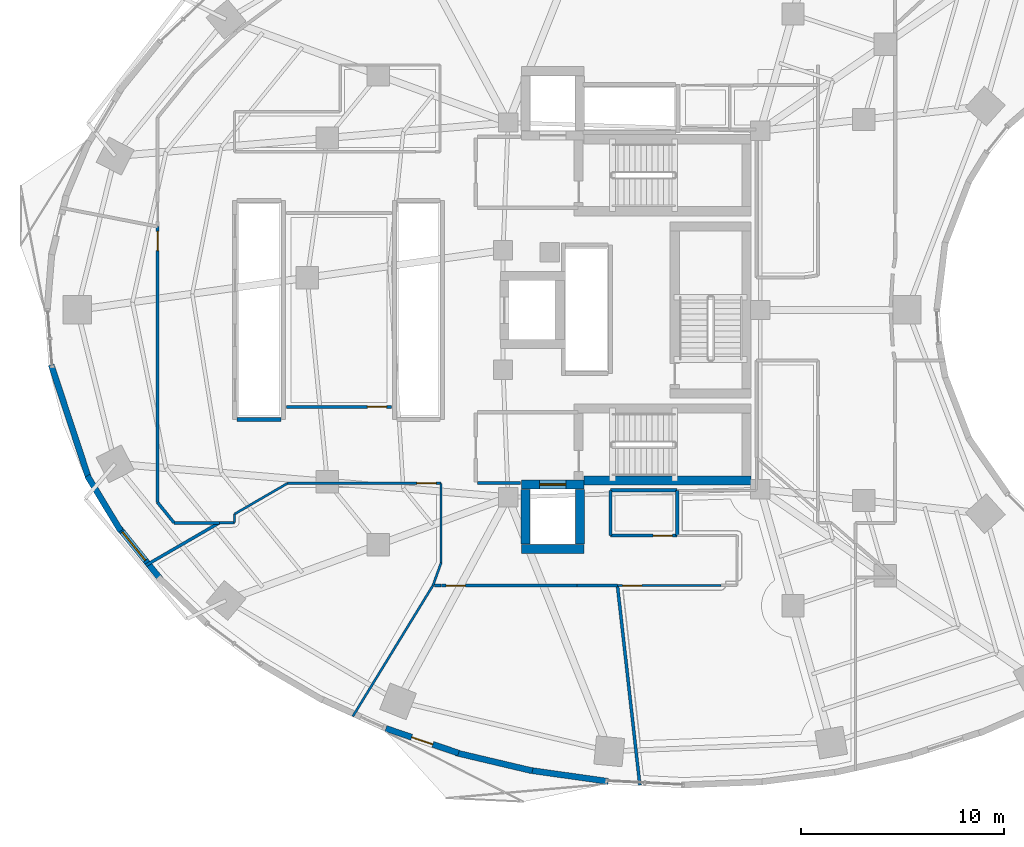
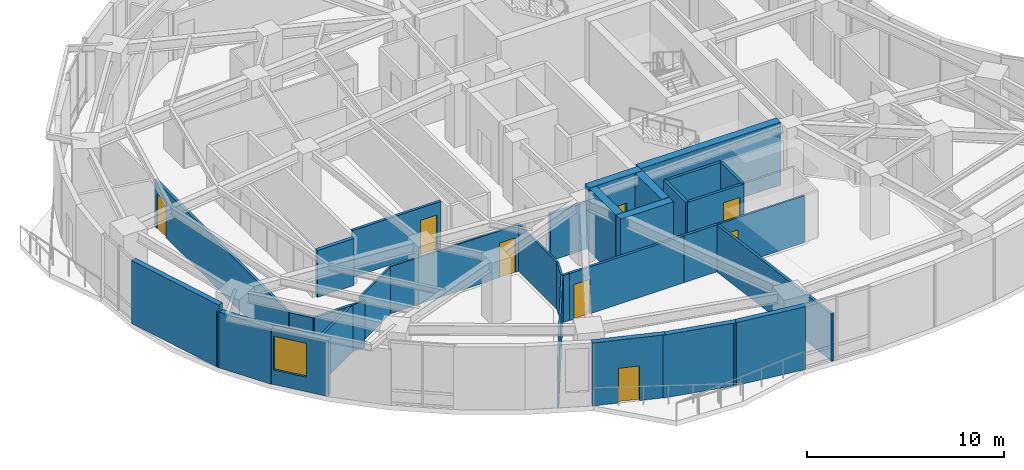
# One storey, part 8 of 15: 34 walls, 8 doors, 1 window, 9 openings.
"""IFC4 building model written with IfcOpenShell, lengths in metres."""

from ifc_helpers import new_model, si_unit, direction, frame, frame_2d, origin, place, context, subcontext, project, spatial, rectangle, extrude, material, layer, layer_set, type_object, element, fill, save


model = new_model("IFC4")

# Units and contexts
model_context = context("Model", 3, precision=1e-05, world=origin(), true_north=direction((0.0, 1.0)))
body_context = subcontext(model_context, "Body", "Model", "MODEL_VIEW")
ifc_project = project(units=[si_unit("LENGTHUNIT", "METRE"), si_unit("AREAUNIT", "SQUARE_METRE"), si_unit("VOLUMEUNIT", "CUBIC_METRE"), si_unit("PLANEANGLEUNIT", "RADIAN"), si_unit("MASSUNIT", "GRAM", prefix="KILO")], contexts=[model_context])

# Site, building, storey
site_placement = place(None, origin())
site = spatial("IfcSite", under=ifc_project, at=site_placement, CompositionType="ELEMENT")
building_placement = place(site_placement, origin())
building = spatial("IfcBuilding", under=site, at=building_placement, Name="Korentha Bioscience Tower", CompositionType="ELEMENT")
storey_placement = place(building_placement, frame((0.0, 0.0, 76.199951171875)))
storey = spatial("IfcBuildingStorey", under=building, at=storey_placement, Name="L17", CompositionType="ELEMENT", Elevation=76.199951171875)

# Wall, opening, door
ifc_material_1 = material(Name="Double-Stud Acoustic Gypsum", Category="gypsum")
ifc_layer_1 = layer(ifc_material_1, 0.14990234375, Name="Double-Stud Acoustic Gypsum")
ifc_layer_set_1 = layer_set([ifc_layer_1], Name="Double-Stud Acoustic Gypsum (IW-L150)")
wall_type_1 = type_object("IfcWallType", Name="Acoustic Laboratory Partition Wall 150", PredefinedType="PARTITIONING", material=ifc_layer_set_1)
wall_1_placement = place(storey_placement, frame((19.340087890625, 22.2099609375, 0.0), z_axis=(0.0, 0.0, 1.0), x_axis=(-1.0, 0.0, 0.0)))
wall_1 = element("IfcWall", 1, at=wall_1_placement, inside=storey, type_object=wall_type_1, Name="L17 Biomechanical Motion Analysis Lab 01 Entrance Wall", PredefinedType="PARTITIONING", context=body_context, shape_type="SweptSolid", body=[
    extrude(rectangle(XDim=5.18017578125, YDim=0.14990234375, at=frame_2d((2.590087890625, 0.0))), origin(), (0.0, 0.0, 1.0), 2.91015625),
])
opening_1_placement = place(wall_1_placement, frame((0.239990234375, 0.0, 0.0)))
opening_1 = element("IfcOpeningElement", 2, at=opening_1_placement, cuts=wall_1, Name="Opening ID-10R", PredefinedType="OPENING", context=body_context, shape_type="SweptSolid", body=[
    extrude(rectangle(XDim=0.949951171875, YDim=2.14990234375, at=frame_2d((0.47509765625, 1.074951171875))), frame((0.0, 0.08984375, 0.0), z_axis=(0.0, -1.0, 0.0), x_axis=(1.0, 0.0, 0.0)), (0.0, 0.0, 1.0), 0.1796875),
])
ifc_material_2 = material(Name="Phenolic Laminate Timber Core", Category="wood")
door_type_1 = type_object("IfcDoorType", Name="Laboratory Single Leaf Door 950x2150 Right", OperationType="SINGLE_SWING_RIGHT", PredefinedType="DOOR", material=ifc_material_2)
door_1_placement = place(opening_1_placement, origin())
door_1 = element("IfcDoor", 3, at=door_1_placement, inside=storey, type_object=door_type_1, Name="L17 Biomechanical Motion Analysis Lab 01 Door", OperationType="SINGLE_SWING_RIGHT", OverallHeight=2.14990234375, OverallWidth=0.949951171875, PredefinedType="DOOR", context=body_context, shape_type="SweptSolid", body=[
    extrude(rectangle(XDim=0.949951171875, YDim=2.14990234375, at=frame_2d((0.47509765625, 1.074951171875))), frame((0.0, 0.02490234375, 0.0), z_axis=(0.0, -1.0, 0.0), x_axis=(1.0, 0.0, 0.0)), (0.0, 0.0, 1.0), 0.050048828125),
])
fill(opening_1, door_1)

wall_2_placement = place(storey_placement, frame((7.7900390625, 31.115478515625, 0.0), z_axis=(0.0, 0.0, 1.0), x_axis=(0.0, -1.0, 0.0)))
wall_2 = element("IfcWall", 4, at=wall_2_placement, inside=storey, type_object=wall_type_1, Name="L17 Principal Investigator Office 02 Entrance Wall", PredefinedType="PARTITIONING", context=body_context, shape_type="SweptSolid", body=[
    extrude(rectangle(XDim=13.61669921875, YDim=0.14990234375, at=frame_2d((6.808349609375, 0.0))), origin(), (0.0, 0.0, 1.0), 2.91015625),
])
opening_2_placement = place(wall_2_placement, frame((0.239990234375, 0.0, 0.0)))
opening_2 = element("IfcOpeningElement", 5, at=opening_2_placement, cuts=wall_2, Name="Opening ID-10L", PredefinedType="OPENING", context=body_context, shape_type="SweptSolid", body=[
    extrude(rectangle(XDim=0.949951171875, YDim=2.14990234375, at=frame_2d((0.47509765625, 1.074951171875))), frame((0.0, 0.08984375, 0.0), z_axis=(0.0, -1.0, 0.0), x_axis=(1.0, 0.0, 0.0)), (0.0, 0.0, 1.0), 0.1796875),
])
door_type_2 = type_object("IfcDoorType", Name="Laboratory Single Leaf Door 950x2150 Left", OperationType="SINGLE_SWING_LEFT", PredefinedType="DOOR", material=ifc_material_2)
door_2_placement = place(opening_2_placement, origin())
door_2 = element("IfcDoor", 6, at=door_2_placement, inside=storey, type_object=door_type_2, Name="L17 Principal Investigator Office 02 Door", OperationType="SINGLE_SWING_LEFT", OverallHeight=2.14990234375, OverallWidth=0.949951171875, PredefinedType="DOOR", context=body_context, shape_type="SweptSolid", body=[
    extrude(rectangle(XDim=0.949951171875, YDim=2.14990234375, at=frame_2d((0.47509765625, 1.074951171875))), frame((0.0, 0.02490234375, 0.0), z_axis=(0.0, -1.0, 0.0), x_axis=(1.0, 0.0, 0.0)), (0.0, 0.0, 1.0), 0.050048828125),
])
fill(opening_2, door_2)

wall_3_placement = place(storey_placement, frame((21.800048828125, 13.389892578125, 0.0), z_axis=(0.0, 0.0, 1.0), x_axis=(1.0, 0.0, 0.0)))
wall_3 = element("IfcWall", 7, at=wall_3_placement, inside=storey, type_object=wall_type_1, Name="L17 Staff Pantry Kitchenette 04 Entrance Wall", PredefinedType="PARTITIONING", context=body_context, shape_type="SweptSolid", body=[
    extrude(rectangle(XDim=6.699951171875, YDim=0.14990234375, at=frame_2d((3.35009765625, 0.0))), origin(), (0.0, 0.0, 1.0), 2.91015625),
])
opening_3_placement = place(wall_3_placement, frame((0.239990234375, 0.0, 0.0)))
opening_3 = element("IfcOpeningElement", 8, at=opening_3_placement, cuts=wall_3, Name="Opening ID-10L", PredefinedType="OPENING", context=body_context, shape_type="SweptSolid", body=[
    extrude(rectangle(XDim=0.949951171875, YDim=2.14990234375, at=frame_2d((0.47509765625, 1.074951171875))), frame((0.0, 0.08984375, 0.0), z_axis=(0.0, -1.0, 0.0), x_axis=(1.0, 0.0, 0.0)), (0.0, 0.0, 1.0), 0.1796875),
])
door_3_placement = place(opening_3_placement, origin())
door_3 = element("IfcDoor", 9, at=door_3_placement, inside=storey, type_object=door_type_2, Name="L17 Staff Pantry Kitchenette 04 Door", OperationType="SINGLE_SWING_LEFT", OverallHeight=2.14990234375, OverallWidth=0.949951171875, PredefinedType="DOOR", context=body_context, shape_type="SweptSolid", body=[
    extrude(rectangle(XDim=0.949951171875, YDim=2.14990234375, at=frame_2d((0.47509765625, 1.074951171875))), frame((0.0, 0.02490234375, 0.0), z_axis=(0.0, -1.0, 0.0), x_axis=(1.0, 0.0, 0.0)), (0.0, 0.0, 1.0), 0.050048828125),
])
fill(opening_3, door_3)

# Walls
wall_4_placement = place(storey_placement, frame((7.792236328125, 17.492431640625, 0.0), z_axis=(0.0, 0.0, 1.0), x_axis=(0.629225554682, -0.777222748854, 0.0)))
element("IfcWall", 10, at=wall_4_placement, inside=storey, type_object=wall_type_1, Name="L17 Interior Partition 024", PredefinedType="PARTITIONING", context=body_context, shape_type="SweptSolid", body=[
    extrude(rectangle(XDim=1.28515625, YDim=0.14990234375, at=frame_2d((0.642578125, 0.0))), origin(), (0.0, 0.0, 1.0), 2.91015625),
])
wall_5_placement = place(storey_placement, frame((8.608642578125, 16.489990234375, 0.0), z_axis=(0.0, 0.0, 1.0), x_axis=(1.0, 0.0, 0.0)))
element("IfcWall", 11, at=wall_5_placement, inside=storey, type_object=wall_type_1, Name="L17 Interior Partition 025", PredefinedType="PARTITIONING", context=body_context, shape_type="SweptSolid", body=[
    extrude(rectangle(XDim=2.230224609375, YDim=0.14990234375, at=frame_2d((1.115234375, 0.0))), origin(), (0.0, 0.0, 1.0), 2.91015625),
])
wall_6_placement = place(storey_placement, frame((10.8388671875, 16.489990234375, 0.0), z_axis=(0.0, 0.0, 1.0), x_axis=(-0.865171113314, -0.501476763856, 0.0)))
element("IfcWall", 12, at=wall_6_placement, inside=storey, type_object=wall_type_1, Name="L17 Interior Partition 026", PredefinedType="PARTITIONING", context=body_context, shape_type="SweptSolid", body=[
    extrude(rectangle(XDim=4.194091796875, YDim=0.14990234375, at=frame_2d((2.09716796875, 0.0))), origin(), (0.0, 0.0, 1.0), 2.91015625),
])
wall_7_placement = place(storey_placement, frame((28.5, 13.389892578125, 0.0), z_axis=(0.0, 0.0, 1.0), x_axis=(1.0, 0.0, 0.0)))
element("IfcWall", 13, at=wall_7_placement, inside=storey, type_object=wall_type_1, Name="L17 Interior Partition 034", PredefinedType="PARTITIONING", context=body_context, shape_type="SweptSolid", body=[
    extrude(rectangle(XDim=1.998291015625, YDim=0.14990234375, at=frame_2d((0.9990234375, 0.0))), origin(), (0.0, 0.0, 1.0), 2.91015625),
])
wall_8_placement = place(storey_placement, frame((30.498291015625, 13.389892578125, 0.0), z_axis=(0.0, 0.0, 1.0), x_axis=(0.11147423436, -0.993767324414, 0.0)))
element("IfcWall", 14, at=wall_8_placement, inside=storey, type_object=wall_type_1, Name="L17 Interior Partition 035", PredefinedType="PARTITIONING", context=body_context, shape_type="SweptSolid", body=[
    extrude(rectangle(XDim=9.9189453125, YDim=0.14990234375, at=frame_2d((4.95947265625, 0.0))), origin(), (0.0, 0.0, 1.0), 2.91015625),
])
wall_9_placement = place(storey_placement, frame((21.452880859375, 13.39990234375, 0.0), z_axis=(0.0, 0.0, 1.0), x_axis=(1.0, 0.0, 0.0)))
element("IfcWall", 15, at=wall_9_placement, inside=storey, type_object=wall_type_1, Name="L17 Interior Partition 036", PredefinedType="PARTITIONING", context=body_context, shape_type="SweptSolid", body=[
    extrude(rectangle(XDim=0.337158203125, YDim=0.14990234375, at=frame_2d((0.16845703125, 0.0))), origin(), (0.0, 0.0, 1.0), 2.91015625),
])

# Wall, opening, door
ifc_material_3 = material(Name="Fire-Rated Framed Glass", Category="glass")
ifc_layer_2 = layer(ifc_material_3, 0.110107421875, Name="Fire-Rated Framed Glass")
ifc_layer_set_2 = layer_set([ifc_layer_2], Name="Fire-Rated Framed Glass (IW-G110)")
wall_type_2 = type_object("IfcWallType", Name="Demountable Glazed Office Partition 110", PredefinedType="MOVABLE", material=ifc_layer_set_2)
wall_10_placement = place(storey_placement, frame((14.210693359375, 18.43994140625, 0.0), z_axis=(0.0, 0.0, 1.0), x_axis=(1.0, 0.0, 0.0)))
wall_10 = element("IfcWall", 16, at=wall_10_placement, inside=storey, type_object=wall_type_2, Name="L17 Research Colloquium Seminar Room 03 Entrance Wall", PredefinedType="MOVABLE", context=body_context, shape_type="SweptSolid", body=[
    extrude(rectangle(XDim=7.579345703125, YDim=0.110107421875, at=frame_2d((3.78955078125, 0.0))), origin(), (0.0, 0.0, 1.0), 2.91015625),
])
opening_4_placement = place(wall_10_placement, frame((6.38916015625, 0.0, 0.0)))
opening_4 = element("IfcOpeningElement", 17, at=opening_4_placement, cuts=wall_10, Name="Opening ID-10R", PredefinedType="OPENING", context=body_context, shape_type="SweptSolid", body=[
    extrude(rectangle(XDim=0.949951171875, YDim=2.14990234375, at=frame_2d((0.47509765625, 1.074951171875))), frame((0.0, 0.06982421875, 0.0), z_axis=(0.0, -1.0, 0.0), x_axis=(1.0, 0.0, 0.0)), (0.0, 0.0, 1.0), 0.139892578125),
])
door_4_placement = place(opening_4_placement, origin())
door_4 = element("IfcDoor", 18, at=door_4_placement, inside=storey, type_object=door_type_1, Name="L17 Research Colloquium Seminar Room 03 Door", OperationType="SINGLE_SWING_RIGHT", OverallHeight=2.14990234375, OverallWidth=0.949951171875, PredefinedType="DOOR", context=body_context, shape_type="SweptSolid", body=[
    extrude(rectangle(XDim=0.949951171875, YDim=2.14990234375, at=frame_2d((0.47509765625, 1.074951171875))), frame((0.0, 0.02490234375, 0.0), z_axis=(0.0, -1.0, 0.0), x_axis=(1.0, 0.0, 0.0)), (0.0, 0.0, 1.0), 0.050048828125),
])
fill(opening_4, door_4)

wall_11_placement = place(storey_placement, frame((30.50830078125, 13.389892578125, 0.0), z_axis=(0.0, 0.0, 1.0), x_axis=(1.0, 0.0, 0.0)))
wall_11 = element("IfcWall", 19, at=wall_11_placement, inside=storey, type_object=wall_type_2, Name="L17 Senior Scientist Corner Office 05 Entrance Wall", PredefinedType="MOVABLE", context=body_context, shape_type="SweptSolid", body=[
    extrude(rectangle(XDim=5.091796875, YDim=0.110107421875, at=frame_2d((2.5458984375, 0.0))), origin(), (0.0, 0.0, 1.0), 2.91015625),
])
opening_5_placement = place(wall_11_placement, frame((0.239990234375, 0.0, 0.0)))
opening_5 = element("IfcOpeningElement", 20, at=opening_5_placement, cuts=wall_11, Name="Opening ID-10R", PredefinedType="OPENING", context=body_context, shape_type="SweptSolid", body=[
    extrude(rectangle(XDim=0.949951171875, YDim=2.14990234375, at=frame_2d((0.47509765625, 1.074951171875))), frame((0.0, 0.06982421875, 0.0), z_axis=(0.0, -1.0, 0.0), x_axis=(1.0, 0.0, 0.0)), (0.0, 0.0, 1.0), 0.139892578125),
])
door_5_placement = place(opening_5_placement, origin())
door_5 = element("IfcDoor", 21, at=door_5_placement, inside=storey, type_object=door_type_1, Name="L17 Senior Scientist Corner Office 05 Door", OperationType="SINGLE_SWING_RIGHT", OverallHeight=2.14990234375, OverallWidth=0.949951171875, PredefinedType="DOOR", context=body_context, shape_type="SweptSolid", body=[
    extrude(rectangle(XDim=0.949951171875, YDim=2.14990234375, at=frame_2d((0.47509765625, 1.074951171875))), frame((0.0, 0.02490234375, 0.0), z_axis=(0.0, -1.0, 0.0), x_axis=(1.0, 0.0, 0.0)), (0.0, 0.0, 1.0), 0.050048828125),
])
fill(opening_5, door_5)

# Walls
wall_12_placement = place(storey_placement, frame((21.7900390625, 18.43994140625, 0.0), z_axis=(0.0, 0.0, 1.0), x_axis=(0.0, -1.0, 0.0)))
element("IfcWall", 22, at=wall_12_placement, inside=storey, type_object=wall_type_2, Name="L17 Interior Partition 027", PredefinedType="MOVABLE", context=body_context, shape_type="SweptSolid", body=[
    extrude(rectangle(XDim=3.9287109375, YDim=0.110107421875, at=frame_2d((1.96435546875, 0.0))), origin(), (0.0, 0.0, 1.0), 2.91015625),
])
wall_13_placement = place(storey_placement, frame((21.7900390625, 14.51123046875, 0.0), z_axis=(0.0, 0.0, 1.0), x_axis=(-0.337672177142, -0.941263778536, 0.0)))
element("IfcWall", 23, at=wall_13_placement, inside=storey, type_object=wall_type_2, Name="L17 Interior Partition 028", PredefinedType="MOVABLE", context=body_context, shape_type="SweptSolid", body=[
    extrude(rectangle(XDim=1.1806640625, YDim=0.110107421875, at=frame_2d((0.59033203125, 0.0))), origin(), (0.0, 0.0, 1.0), 2.91015625),
])
wall_14_placement = place(storey_placement, frame((21.391357421875, 13.39990234375, 0.0), z_axis=(0.0, 0.0, 1.0), x_axis=(-0.522118984401, -0.852872655282, 0.0)))
element("IfcWall", 24, at=wall_14_placement, inside=storey, type_object=wall_type_2, Name="L17 Interior Partition 029", PredefinedType="MOVABLE", context=body_context, shape_type="SweptSolid", body=[
    extrude(rectangle(XDim=7.585693359375, YDim=0.110107421875, at=frame_2d((3.79296875, 0.0))), origin(), (0.0, 0.0, 1.0), 2.91015625),
])
wall_15_placement = place(storey_placement, frame((10.848876953125, 16.489990234375, 0.0), z_axis=(0.0, 0.0, 1.0), x_axis=(1.0, 0.0, 0.0)))
element("IfcWall", 25, at=wall_15_placement, inside=storey, type_object=wall_type_2, Name="L17 Interior Partition 030", PredefinedType="MOVABLE", context=body_context, shape_type="SweptSolid", body=[
    extrude(rectangle(XDim=0.731201171875, YDim=0.110107421875, at=frame_2d((0.36572265625, 0.0))), origin(), (0.0, 0.0, 1.0), 2.91015625),
])
wall_16_placement = place(storey_placement, frame((11.590087890625, 16.5, 0.0), z_axis=(0.0, 0.0, 1.0), x_axis=(0.0, 1.0, 0.0)))
element("IfcWall", 26, at=wall_16_placement, inside=storey, type_object=wall_type_2, Name="L17 Interior Partition 031", PredefinedType="MOVABLE", context=body_context, shape_type="SweptSolid", body=[
    extrude(rectangle(XDim=0.4208984375, YDim=0.110107421875, at=frame_2d((0.21044921875, 0.0))), origin(), (0.0, 0.0, 1.0), 2.91015625),
])
wall_17_placement = place(storey_placement, frame((11.590087890625, 16.9208984375, 0.0), z_axis=(0.0, 0.0, 1.0), x_axis=(0.865161287927, 0.50149371469, 0.0)))
element("IfcWall", 27, at=wall_17_placement, inside=storey, type_object=wall_type_2, Name="L17 Interior Partition 032", PredefinedType="MOVABLE", context=body_context, shape_type="SweptSolid", body=[
    extrude(rectangle(XDim=3.029052734375, YDim=0.110107421875, at=frame_2d((1.5146484375, 0.0))), origin(), (0.0, 0.0, 1.0), 2.91015625),
])
ifc_material_4 = material(Name="Gypsum-Clad Steel Stud", Category="steel")
ifc_layer_3 = layer(ifc_material_4, 0.159912109375, Name="Gypsum-Clad Steel Stud")
ifc_layer_set_3 = layer_set([ifc_layer_3], Name="Gypsum-Clad Steel Stud (IW-C160)")
wall_type_3 = type_object("IfcWallType", Name="Fire-Rated Corridor Partition Wall 160", PredefinedType="PARTITIONING", material=ifc_layer_set_3)
wall_18_placement = place(storey_placement, frame((23.580078125, 18.449951171875, 0.0), z_axis=(0.0, 0.0, 1.0), x_axis=(1.0, 0.0, 0.0)))
element("IfcWall", 28, at=wall_18_placement, inside=storey, type_object=wall_type_3, Name="L17 Firefighting Lobby Return Wall FFLS-S", PredefinedType="PARTITIONING", context=body_context, shape_type="SweptSolid", body=[
    extrude(rectangle(XDim=2.119873046875, YDim=0.159912109375, at=frame_2d((1.06005859375, 0.0))), origin(), (0.0, 0.0, 1.0), 2.91015625),
])

# Wall, opening, door
wall_19_placement = place(storey_placement, frame((33.449951171875, 15.860107421875, 0.0), z_axis=(0.0, 0.0, 1.0), x_axis=(-1.0, 0.0, 0.0)))
wall_19 = element("IfcWall", 29, at=wall_19_placement, inside=storey, type_object=wall_type_3, Name="L17 Core Instrumentation and Gas Store Entrance Wall", PredefinedType="PARTITIONING", context=body_context, shape_type="SweptSolid", body=[
    extrude(rectangle(XDim=3.300048828125, YDim=0.159912109375, at=frame_2d((1.64990234375, 0.0))), origin(), (0.0, 0.0, 1.0), 2.91015625),
])
opening_6_placement = place(wall_19_placement, frame((0.239990234375, 0.0, 0.0)))
opening_6 = element("IfcOpeningElement", 30, at=opening_6_placement, cuts=wall_19, Name="Opening ID-10R", PredefinedType="OPENING", context=body_context, shape_type="SweptSolid", body=[
    extrude(rectangle(XDim=0.949951171875, YDim=2.14990234375, at=frame_2d((0.47509765625, 1.074951171875))), frame((0.0, 0.0947265625, 0.0), z_axis=(0.0, -1.0, 0.0), x_axis=(1.0, 0.0, 0.0)), (0.0, 0.0, 1.0), 0.189697265625),
])
door_6_placement = place(opening_6_placement, origin())
door_6 = element("IfcDoor", 31, at=door_6_placement, inside=storey, type_object=door_type_1, Name="L17 Core Instrumentation and Gas Store Door", OperationType="SINGLE_SWING_RIGHT", OverallHeight=2.14990234375, OverallWidth=0.949951171875, PredefinedType="DOOR", context=body_context, shape_type="SweptSolid", body=[
    extrude(rectangle(XDim=0.949951171875, YDim=2.14990234375, at=frame_2d((0.47509765625, 1.074951171875))), frame((0.0, 0.02490234375, 0.0), z_axis=(0.0, -1.0, 0.0), x_axis=(1.0, 0.0, 0.0)), (0.0, 0.0, 1.0), 0.050048828125),
])
fill(opening_6, door_6)

# Walls
wall_20_placement = place(storey_placement, frame((30.14990234375, 15.860107421875, 0.0), z_axis=(0.0, 0.0, 1.0), x_axis=(0.0, 1.0, 0.0)))
element("IfcWall", 32, at=wall_20_placement, inside=storey, type_object=wall_type_3, Name="L17 Interior Partition 017", PredefinedType="PARTITIONING", context=body_context, shape_type="SweptSolid", body=[
    extrude(rectangle(XDim=2.22998046875, YDim=0.159912109375, at=frame_2d((1.114990234375, 0.0))), origin(), (0.0, 0.0, 1.0), 2.91015625),
])
wall_21_placement = place(storey_placement, frame((30.14990234375, 18.090087890625, 0.0), z_axis=(0.0, 0.0, 1.0), x_axis=(1.0, 0.0, 0.0)))
element("IfcWall", 33, at=wall_21_placement, inside=storey, type_object=wall_type_3, Name="L17 Interior Partition 018", PredefinedType="PARTITIONING", context=body_context, shape_type="SweptSolid", body=[
    extrude(rectangle(XDim=3.300048828125, YDim=0.159912109375, at=frame_2d((1.64990234375, 0.0))), origin(), (0.0, 0.0, 1.0), 2.91015625),
])
wall_22_placement = place(storey_placement, frame((33.449951171875, 18.090087890625, 0.0), z_axis=(0.0, 0.0, 1.0), x_axis=(0.0, -1.0, 0.0)))
element("IfcWall", 34, at=wall_22_placement, inside=storey, type_object=wall_type_3, Name="L17 Interior Partition 019", PredefinedType="PARTITIONING", context=body_context, shape_type="SweptSolid", body=[
    extrude(rectangle(XDim=2.22998046875, YDim=0.159912109375, at=frame_2d((1.114990234375, 0.0))), origin(), (0.0, 0.0, 1.0), 2.91015625),
])

# Wall, opening, window
ifc_material_5 = material(Name="Honed Limestone Precast Concrete C40", Category="masonry")
ifc_layer_4 = layer(ifc_material_5, 0.300048828125, Name="Honed Limestone Precast Concrete C40")
ifc_layer_set_4 = layer_set([ifc_layer_4], Name="Honed Limestone Precast Concrete C40 (EW-ST300)")
wall_type_4 = type_object("IfcWallType", Name="Honed Limestone Cavity Spandrel Wall 300", PredefinedType="STANDARD", material=ifc_layer_set_4)
wall_23_placement = place(storey_placement, frame((5.893798828125, 16.229736328125, 0.0), z_axis=(0.0, 0.0, 1.0), x_axis=(0.629295540187, -0.777166084631, 0.0)))
wall_23 = element("IfcWall", 35, at=wall_23_placement, inside=storey, type_object=wall_type_4, Name="L17 Honed Limestone Spandrel Wall 23", PredefinedType="STANDARD", context=body_context, shape_type="SweptSolid", body=[
    extrude(rectangle(XDim=3.24755859375, YDim=0.300048828125, at=frame_2d((1.623779296875, 0.0))), origin(), (0.0, 0.0, 1.0), 3.469970703125),
])
opening_7_placement = place(wall_23_placement, frame((0.25830078125, 0.0, 0.89990234375)))
opening_7 = element("IfcOpeningElement", 36, at=opening_7_placement, cuts=wall_23, Name="Opening WN-01", PredefinedType="OPENING", context=body_context, shape_type="SweptSolid", body=[
    extrude(rectangle(XDim=1.800048828125, YDim=2.10009765625, at=frame_2d((0.89990234375, 1.050048828125))), frame((0.0, 0.1650390625, 0.0), z_axis=(0.0, -1.0, 0.0), x_axis=(1.0, 0.0, 0.0)), (0.0, 0.0, 1.0), 0.329833984375),
])
ifc_material_6 = material(Name="Thermally Broken Aluminium Triple Glazing", Category="aluminium")
window_type = type_object("IfcWindowType", Name="Triple-Glazed Fixed Bioscience Window 1800x2100", PartitioningType="SINGLE_PANEL", PredefinedType="WINDOW", material=ifc_material_6)
window_placement = place(opening_7_placement, origin())
window = element("IfcWindow", 37, at=window_placement, inside=storey, type_object=window_type, Name="L17 Facade Window 23", OverallHeight=2.10009765625, OverallWidth=1.800048828125, PartitioningType="SINGLE_PANEL", PredefinedType="WINDOW", context=body_context, shape_type="SweptSolid", body=[
    extrude(rectangle(XDim=1.800048828125, YDim=2.10009765625, at=frame_2d((0.89990234375, 1.050048828125))), frame((0.0, 0.030029296875, 0.0), z_axis=(0.0, -1.0, 0.0), x_axis=(1.0, 0.0, 0.0)), (0.0, 0.0, 1.0), 0.06005859375),
])
fill(opening_7, window)

# Wall, opening, door
wall_24_placement = place(storey_placement, frame((19.0654296875, 6.333251953125, 0.0), z_axis=(0.0, 0.0, 1.0), x_axis=(0.947034337234, -0.321132315564, 0.0)))
wall_24 = element("IfcWall", 38, at=wall_24_placement, inside=storey, type_object=wall_type_4, Name="L17 Balcony Threshold Wall 03", PredefinedType="STANDARD", context=body_context, shape_type="SweptSolid", body=[
    extrude(rectangle(XDim=3.789794921875, YDim=0.300048828125, at=frame_2d((1.89501953125, 0.0))), origin(), (0.0, 0.0, 1.0), 3.900146484375),
])
opening_8_placement = place(wall_24_placement, frame((1.344970703125, 0.0, 0.0)))
opening_8 = element("IfcOpeningElement", 39, at=opening_8_placement, cuts=wall_24, Name="Opening BD-11L", PredefinedType="OPENING", context=body_context, shape_type="SweptSolid", body=[
    extrude(rectangle(XDim=1.10009765625, YDim=2.14990234375, at=frame_2d((0.550048828125, 1.074951171875))), frame((0.0, 0.1650390625, 0.0), z_axis=(0.0, -1.0, 0.0), x_axis=(1.0, 0.0, 0.0)), (0.0, 0.0, 1.0), 0.329833984375),
])
ifc_material_7 = material(Name="Thermally Broken Glazed Aluminium", Category="aluminium")
door_type_3 = type_object("IfcDoorType", Name="Balcony Terrace Glazed Door 1100x2150 Left", OperationType="SINGLE_SWING_LEFT", PredefinedType="DOOR", material=ifc_material_7)
door_7_placement = place(opening_8_placement, origin())
door_7 = element("IfcDoor", 40, at=door_7_placement, inside=storey, type_object=door_type_3, Name="L17 Balcony Access Door 03", OperationType="SINGLE_SWING_LEFT", OverallHeight=2.14990234375, OverallWidth=1.10009765625, PredefinedType="DOOR", context=body_context, shape_type="SweptSolid", body=[
    extrude(rectangle(XDim=1.10009765625, YDim=2.14990234375, at=frame_2d((0.550048828125, 1.074951171875))), frame((0.0, 0.02490234375, 0.0), z_axis=(0.0, -1.0, 0.0), x_axis=(1.0, 0.0, 0.0)), (0.0, 0.0, 1.0), 0.050048828125),
])
fill(opening_8, door_7)

# Walls
wall_25_placement = place(storey_placement, frame((2.537353515625, 24.289306640625, 0.0), z_axis=(0.0, 0.0, 1.0), x_axis=(0.31372816724, -0.949512841978, 0.0)))
element("IfcWall", 41, at=wall_25_placement, inside=storey, type_object=wall_type_4, Name="L17 Limestone Perimeter Closure Wall 20", PredefinedType="STANDARD", context=body_context, shape_type="SweptSolid", body=[
    extrude(rectangle(XDim=5.950927734375, YDim=0.300048828125, at=frame_2d((2.9755859375, 0.0))), origin(), (0.0, 0.0, 1.0), 3.900146484375),
])
wall_26_placement = place(storey_placement, frame((4.324951171875, 18.8115234375, 0.0), z_axis=(0.0, 0.0, 1.0), x_axis=(0.516423528484, -0.856333310825, 0.0)))
element("IfcWall", 42, at=wall_26_placement, inside=storey, type_object=wall_type_4, Name="L17 Limestone Perimeter Closure Wall 22", PredefinedType="STANDARD", context=body_context, shape_type="SweptSolid", body=[
    extrude(rectangle(XDim=3.1826171875, YDim=0.300048828125, at=frame_2d((1.59130859375, 0.0))), origin(), (0.0, 0.0, 1.0), 3.469970703125),
])
wall_27_placement = place(storey_placement, frame((22.50048828125, 5.138427734375, 0.0), z_axis=(0.0, 0.0, 1.0), x_axis=(0.973197600754, -0.229970497863, 0.0)))
element("IfcWall", 43, at=wall_27_placement, inside=storey, type_object=wall_type_4, Name="L17 Limestone Perimeter Closure Wall 29", PredefinedType="STANDARD", context=body_context, shape_type="SweptSolid", body=[
    extrude(rectangle(XDim=3.9013671875, YDim=0.300048828125, at=frame_2d((1.95068359375, 0.0))), origin(), (0.0, 0.0, 1.0), 3.900146484375),
])
wall_28_placement = place(storey_placement, frame((26.127685546875, 4.273193359375, 0.0), z_axis=(0.0, 0.0, 1.0), x_axis=(0.990165832998, -0.139898617443, 0.0)))
element("IfcWall", 44, at=wall_28_placement, inside=storey, type_object=wall_type_4, Name="L17 Limestone Perimeter Closure Wall 30", PredefinedType="STANDARD", context=body_context, shape_type="SweptSolid", body=[
    extrude(rectangle(XDim=3.950927734375, YDim=0.300048828125, at=frame_2d((1.9755859375, 0.0))), origin(), (0.0, 0.0, 1.0), 3.900146484375),
])
ifc_material_8 = material(Name="Autoclaved Aerated Concrete Block C25", Category="concrete")
ifc_layer_5 = layer(ifc_material_8, 0.199951171875, Name="Autoclaved Aerated Concrete Block C25")
ifc_layer_set_5 = layer_set([ifc_layer_5], Name="Autoclaved Aerated Concrete Block C25 (IW-S200)")
wall_type_5 = type_object("IfcWallType", Name="Lift and Riser Shaft Enclosure Wall 200", PredefinedType="PARTITIONING", material=ifc_layer_set_5)
wall_29_placement = place(storey_placement, frame((11.719970703125, 21.60009765625, 0.0), z_axis=(0.0, 0.0, 1.0), x_axis=(1.0, 0.0, 0.0)))
element("IfcWall", 45, at=wall_29_placement, inside=storey, type_object=wall_type_5, Name="L17 Lift Bank LOW Shaft Wall -Y", PredefinedType="PARTITIONING", context=body_context, shape_type="SweptSolid", body=[
    extrude(rectangle(XDim=2.159912109375, YDim=0.199951171875, at=frame_2d((1.080078125, 0.0))), origin(), (0.0, 0.0, 1.0), 2.91015625),
])
ifc_material_9 = material(Name="Concrete C80", Category="concrete")
ifc_layer_6 = layer(ifc_material_9, 0.449951171875, Name="Concrete C80")
ifc_layer_set_6 = layer_set([ifc_layer_6], Name="Concrete C80 (CW-C80)")
wall_type_6 = type_object("IfcWallType", Name="Lower Core Shear Wall 450", PredefinedType="SHEAR", material=ifc_layer_set_6)
wall_30_placement = place(storey_placement, frame((28.85205078125, 18.574951171875, 0.0), z_axis=(0.0, 0.0, 1.0), x_axis=(1.0, 0.0, 0.0)))
element("IfcWall", 46, at=wall_30_placement, inside=storey, type_object=wall_type_6, Name="L17 Core Shear Wall ST2-S", PredefinedType="SHEAR", context=body_context, shape_type="SweptSolid", body=[
    extrude(rectangle(XDim=8.248046875, YDim=0.449951171875, at=frame_2d((4.1240234375, 0.0))), origin(), (0.0, 0.0, 1.0), 3.900146484375),
])
wall_31_placement = place(storey_placement, frame((25.75, 15.199951171875, 0.0), z_axis=(0.0, 0.0, 1.0), x_axis=(1.0, 0.0, 0.0)))
element("IfcWall", 47, at=wall_31_placement, inside=storey, type_object=wall_type_6, Name="L17 Core Shear Wall FFL1-S", PredefinedType="SHEAR", context=body_context, shape_type="SweptSolid", body=[
    extrude(rectangle(XDim=3.10009765625, YDim=0.449951171875, at=frame_2d((1.550048828125, 0.0))), origin(), (0.0, 0.0, 1.0), 3.900146484375),
])

# Wall, opening, door
wall_32_placement = place(storey_placement, frame((25.75, 18.3798828125, 0.0), z_axis=(0.0, 0.0, 1.0), x_axis=(1.0, 0.0, 0.0)))
wall_32 = element("IfcWall", 48, at=wall_32_placement, inside=storey, type_object=wall_type_6, Name="L17 Core Shear Wall FFL1-N", PredefinedType="SHEAR", context=body_context, shape_type="SweptSolid", body=[
    extrude(rectangle(XDim=3.10009765625, YDim=0.449951171875, at=frame_2d((1.550048828125, 0.0))), origin(), (0.0, 0.0, 1.0), 3.900146484375),
])
opening_9_placement = place(wall_32_placement, frame((0.89990234375, 0.0, 0.0)))
opening_9 = element("IfcOpeningElement", 49, at=opening_9_placement, cuts=wall_32, Name="Opening LD-13", PredefinedType="OPENING", context=body_context, shape_type="SweptSolid", body=[
    extrude(rectangle(XDim=1.300048828125, YDim=2.199951171875, at=frame_2d((0.64990234375, 1.10009765625))), frame((0.0, 0.23974609375, 0.0), z_axis=(0.0, -1.0, 0.0), x_axis=(1.0, 0.0, 0.0)), (0.0, 0.0, 1.0), 0.479736328125),
])
ifc_material_10 = material(Name="Brushed Stainless Steel 316", Category="steel")
door_type_4 = type_object("IfcDoorType", Name="Service & Firefighting Lift Landing Door 1300x2300", OperationType="DOUBLE_DOOR_SLIDING", PredefinedType="DOOR", material=ifc_material_10)
door_8_placement = place(opening_9_placement, origin())
door_8 = element("IfcDoor", 50, at=door_8_placement, inside=storey, type_object=door_type_4, Name="L17 FFL-1 Sliding Lift Landing Door", OperationType="DOUBLE_DOOR_SLIDING", OverallHeight=2.199951171875, OverallWidth=1.300048828125, PredefinedType="DOOR", context=body_context, shape_type="SweptSolid", body=[
    extrude(rectangle(XDim=1.300048828125, YDim=2.199951171875, at=frame_2d((0.64990234375, 1.10009765625))), frame((0.0, 0.02490234375, 0.0), z_axis=(0.0, -1.0, 0.0), x_axis=(1.0, 0.0, 0.0)), (0.0, 0.0, 1.0), 0.050048828125),
])
fill(opening_9, door_8)

# Walls
for number, where, z_axis, x_axis, name in (
    (51, (25.949951171875, 15.43994140625, 0.0), (0.0, 0.0, 1.0), (0.0, 1.0, 0.0), "L17 Core Shear Wall FFL1-W"),
    (52, (28.64990234375, 15.43994140625, 0.0), (0.0, 0.0, 1.0), (0.0, 1.0, 0.0), "L17 Core Shear Wall FFL1-E"),
):
    element("IfcWall", number, at=place(storey_placement, frame(where, z_axis=z_axis, x_axis=x_axis)), inside=storey, type_object=wall_type_6, Name=name, PredefinedType="SHEAR", context=body_context, shape_type="SweptSolid", body=[
        extrude(rectangle(XDim=2.699951171875, YDim=0.449951171875, at=frame_2d((1.35009765625, 0.0))), origin(), (0.0, 0.0, 1.0), 3.900146484375),
    ])

save(model, "model.ifc")
